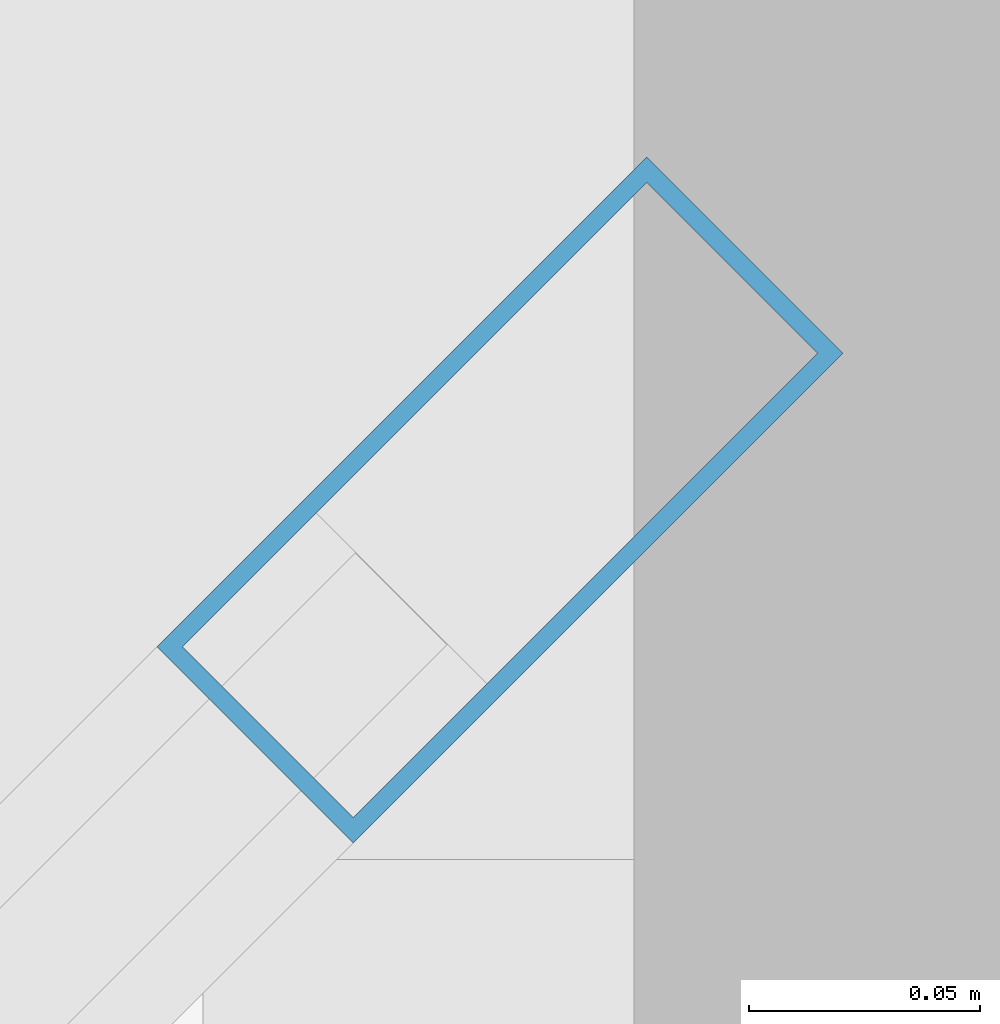
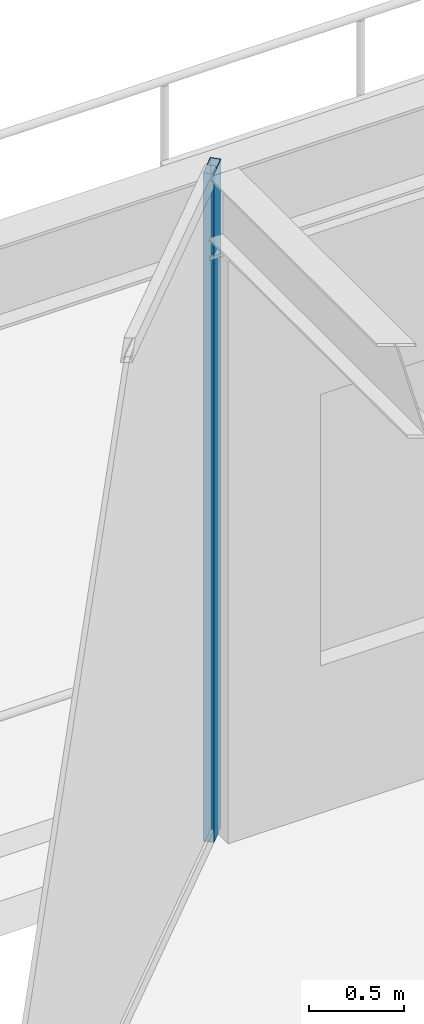
# One storey, part 15 of 50: 1 member, 1 element without a shape of its own.
"""IFC4 building model written with IfcOpenShell, lengths in metres."""

from ifc_helpers import new_model, si_unit, direction, frame, origin, origin_2d, place, context, subcontext, project, spatial, hollow_rectangle, extrude, material, material_profile, profile_set, type_object, element, aggregate, save


model = new_model("IFC4")

# Units and contexts
model_context = context("Model", 3, precision=1e-05, world=origin(), true_north=direction((0.0, 1.0)))
body_context = subcontext(model_context, "Body", "Model", "MODEL_VIEW")
ifc_project = project(units=[si_unit("LENGTHUNIT", "METRE"), si_unit("AREAUNIT", "SQUARE_METRE"), si_unit("VOLUMEUNIT", "CUBIC_METRE"), si_unit("PLANEANGLEUNIT", "RADIAN"), si_unit("MASSUNIT", "GRAM", prefix="KILO")], contexts=[model_context])

# Site, building, storey
site_placement = place(None, origin())
site = spatial("IfcSite", under=ifc_project, at=site_placement, CompositionType="ELEMENT")
building_placement = place(site_placement, origin())
building = spatial("IfcBuilding", under=site, at=building_placement, Name="Almandine Court Research Institute", CompositionType="ELEMENT")
storey_placement = place(building_placement, frame((0.0, 0.0, 23.449951171875)))
storey = spatial("IfcBuildingStorey", under=building, at=storey_placement, Name="L05", CompositionType="ELEMENT", Elevation=23.449951171875)

# Curtain wall, member
ifc_material_1 = material(Name="Unitised Curtain Wall Framing and Solar Glazing", Category="glass")
curtain_wall_type = type_object("IfcCurtainWallType", Name="CW-CWG-10", PredefinedType="USERDEFINED", material=ifc_material_1)
curtain_wall_placement = place(storey_placement, origin())
curtain_wall = element("IfcCurtainWall", 1, at=curtain_wall_placement, inside=storey, type_object=curtain_wall_type, Name="L05 Cleanroom NW Chamfer Glazing", ObjectType="UNITISED GLAZING", PredefinedType="USERDEFINED")
ifc_material_2 = material(Name="Anodised Aluminium AW-6063-T6", Category="aluminium")
ifc_material_profile = material_profile(ifc_material_2, hollow_rectangle(XDim=0.06005859375, YDim=0.14990234375, WallThickness=0.00390625, at=origin_2d()), Name="ALU RHS 60x150x4")
ifc_profile_set = profile_set([ifc_material_profile], Name="Anodised Aluminium AW-6063-T6")
member_type = type_object("IfcMemberType", Name="CWMul-60x150", PredefinedType="MULLION", material=ifc_profile_set)
member_placement = place(storey_placement, frame((10.77490234375, 112.77490234375, 0.0), z_axis=(0.0, 0.0, 1.0), x_axis=(-0.707106781187, 0.707106781187, 0.0)))
member = element("IfcMember", 2, at=member_placement, type_object=member_type, Name="CWG-10 mullion 2", PredefinedType="MULLION", context=body_context, shape_type="SweptSolid", body=[
    extrude(hollow_rectangle(XDim=0.06005859375, YDim=0.14990234375, WallThickness=0.00390625, at=origin_2d()), origin(), (0.0, 0.0, 1.0), 4.31005859375),
])
aggregate(curtain_wall, [member])

save(model, "model.ifc")
